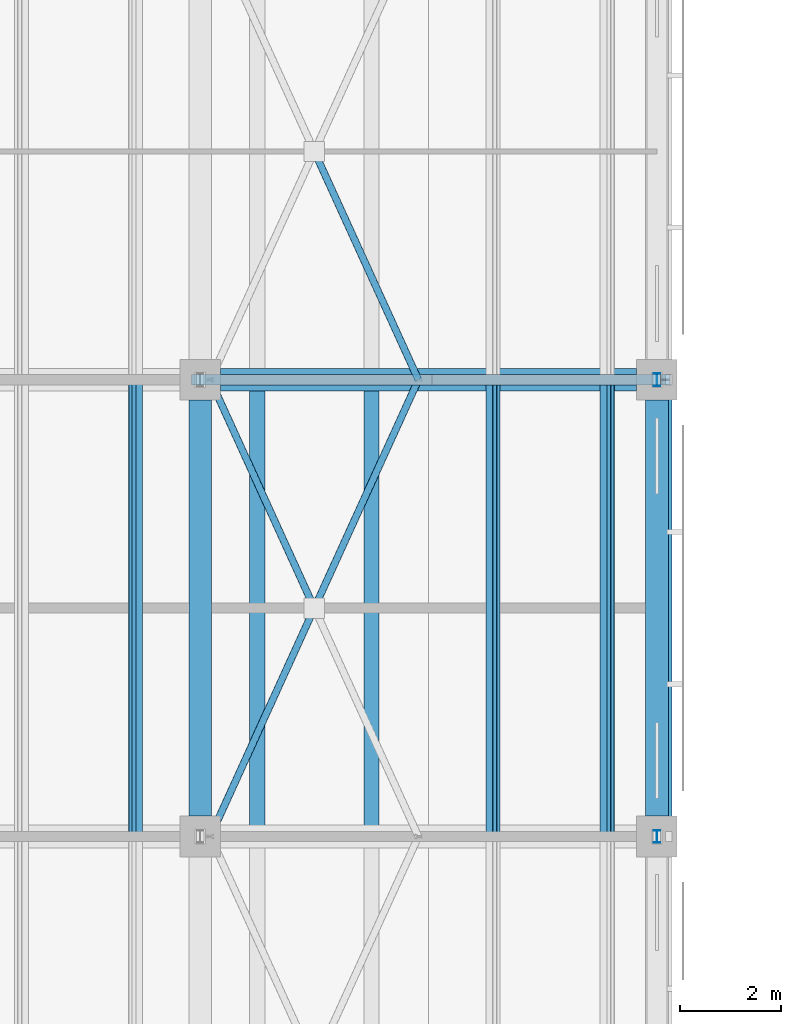
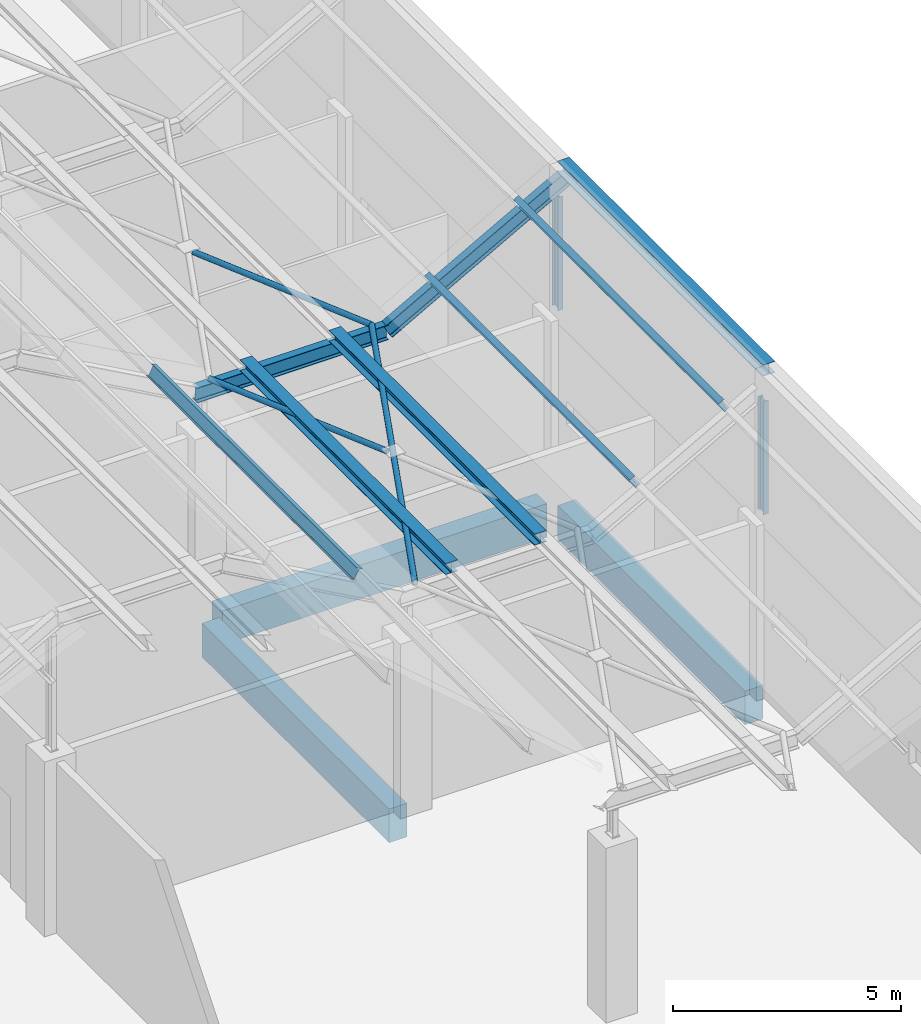
# One storey, part 45 of 437: 13 members, 3 beams.
"""IFC4 building model written with IfcOpenShell, lengths in metres."""

from ifc_helpers import new_model, si_unit, direction, frame, origin, origin_2d, place, context, subcontext, project, spatial, rectangle, hollow_circle, i_section, extrude, material, material_profile, profile_set, type_object, element, save


model = new_model("IFC4")

# Units and contexts
model_context = context("Model", 3, precision=1e-05, world=origin(), true_north=direction((0.0, 1.0)))
body_context = subcontext(model_context, "Body", "Model", "MODEL_VIEW")
ifc_project = project(units=[si_unit("LENGTHUNIT", "METRE"), si_unit("AREAUNIT", "SQUARE_METRE"), si_unit("VOLUMEUNIT", "CUBIC_METRE"), si_unit("PLANEANGLEUNIT", "RADIAN"), si_unit("MASSUNIT", "GRAM", prefix="KILO")], contexts=[model_context])

# Site, building, storey
site_placement = place(None, origin())
site = spatial("IfcSite", under=ifc_project, at=site_placement, CompositionType="ELEMENT")
building_placement = place(site_placement, origin())
building = spatial("IfcBuilding", under=site, at=building_placement, Name="Opaline Strait Convention Centre", CompositionType="ELEMENT")
storey_placement = place(building_placement, frame((0.0, 0.0, 11.5)))
storey = spatial("IfcBuildingStorey", under=building, at=storey_placement, Name="L02", CompositionType="ELEMENT", Elevation=11.5)

# Members
ifc_material_1 = material(Name="Steel Q355B", Category="steel")
ifc_material_profile_1 = material_profile(ifc_material_1, i_section(OverallWidth=0.300048828125, OverallDepth=0.300048828125, WebThickness=0.010009765625, FlangeThickness=0.014892578125, FilletRadius=0.012939453125, at=origin_2d()), Name="HW 300x300x10x15")
ifc_profile_set_1 = profile_set([ifc_material_profile_1], Name="Steel Q355B")
member_type_1 = type_object("IfcMemberType", Name="Crest purlin HW 300x300x10x15", PredefinedType="PURLIN", material=ifc_profile_set_1)
for number, where, z_axis, x_axis, name in (
    (1, (73.125, 45.0, 5.949951171875), (0.0, 1.0, 0.0), (-1.0, 0.0, 0.0), "RU1 purlin facet 15 line 1"),
    (2, (75.375, 45.0, 5.949951171875), (0.0, 1.0, 0.0), (-1.0, 0.0, 0.0), "RU1 purlin facet 15 line 2"),
    (3, (81.14990234375, 45.0, 8.449951171875), (0.0, 1.0, 0.0), (-1.0, 0.0, 0.0), "RU1 purlin facet 17 line 1"),
):
    element("IfcMember", number, at=place(storey_placement, frame(where, z_axis=z_axis, x_axis=x_axis)), inside=storey, type_object=member_type_1, Name=name, PredefinedType="PURLIN", context=body_context, shape_type="SweptSolid", body=[
        extrude(i_section(OverallWidth=0.300048828125, OverallDepth=0.300048828125, WebThickness=0.010009765625, FlangeThickness=0.014892578125, FilletRadius=0.012939453125, at=origin_2d()), origin(), (0.0, 0.0, 1.0), 9.0),
    ])

# Beams
ifc_material_2 = material(Name="Concrete C35", Category="concrete")
ifc_material_profile_2 = material_profile(ifc_material_2, rectangle(XDim=0.449951171875, YDim=0.89990234375, at=origin_2d()), Name="RC 450x900")
ifc_profile_set_2 = profile_set([ifc_material_profile_2], Name="Concrete C35")
beam_type = type_object("IfcBeamType", Name="RC beam 450x900 C35", PredefinedType="BEAM", material=ifc_profile_set_2)
for number, where, z_axis, x_axis, name in (
    (4, (72.39990234375, 54.0, -0.72998046875), (1.0, 0.0, 0.0), (0.0, 1.0, 0.0), "XB1 L02 72/54-81/54"),
    (5, (72.0, 45.39990234375, -0.72998046875), (0.0, 1.0, 0.0), (-1.0, 0.0, 0.0), "XB1 L02 72/45-72/54"),
    (6, (81.0, 45.39990234375, -0.72998046875), (0.0, 1.0, 0.0), (-1.0, 0.0, 0.0), "XB1 L02 81/45-81/54"),
):
    element("IfcBeam", number, at=place(storey_placement, frame(where, z_axis=z_axis, x_axis=x_axis)), inside=storey, type_object=beam_type, Name=name, PredefinedType="BEAM", context=body_context, shape_type="SweptSolid", body=[
        extrude(rectangle(XDim=0.449951171875, YDim=0.89990234375, at=origin_2d()), origin(), (0.0, 0.0, 1.0), 8.2001953125),
    ])

# Members
ifc_material_profile_3 = material_profile(ifc_material_1, hollow_circle(Radius=0.070068359375, WallThickness=0.0048828125, at=origin_2d()), Name="CHS 140x5")
ifc_profile_set_3 = profile_set([ifc_material_profile_3], Name="Steel Q355B")
member_type_2 = type_object("IfcMemberType", Name="Roof bracing CHS 140x5", PredefinedType="BRACE", material=ifc_profile_set_3)
member_1_placement = place(storey_placement, frame((72.199951171875, 45.0, 5.8701171875), z_axis=(0.414572789354, 0.910016154981, 0.0), x_axis=(-0.910016154981, 0.414572789354, 0.0)))
element("IfcMember", 7, at=member_1_placement, inside=storey, type_object=member_type_2, Name="RX1 roof brace bay 5 at 72", PredefinedType="BRACE", context=body_context, shape_type="SweptSolid", body=[
    extrude(hollow_circle(Radius=0.070068359375, WallThickness=0.0048828125, at=origin_2d()), origin(), (0.0, 0.0, 1.0), 9.889892578125),
])
for number, where, z_axis, x_axis, name in (
    (8, (74.185546875, 49.6416015625, 5.8701171875), (-0.41458243593, 0.910011760264, 0.0), (-0.910011760264, -0.41458243593, 0.0), "RX1 roof brace bay 5 at 72"),
    (9, (76.300048828125, 54.0, 5.8701171875), (-0.41458243593, 0.910011760264, 0.0), (-0.910011760264, -0.41458243593, 0.0), "RX1 roof brace bay 6 at 72"),
):
    element("IfcMember", number, at=place(storey_placement, frame(where, z_axis=z_axis, x_axis=x_axis)), inside=storey, type_object=member_type_2, Name=name, PredefinedType="BRACE", context=body_context, shape_type="SweptSolid", body=[
        extrude(hollow_circle(Radius=0.070068359375, WallThickness=0.0048828125, at=origin_2d()), origin(), (0.0, 0.0, 1.0), 4.789306640625),
    ])
ifc_material_profile_4 = material_profile(ifc_material_1, i_section(OverallWidth=0.125, OverallDepth=0.25, WebThickness=0.006103515625, FlangeThickness=0.009033203125, FilletRadius=0.008056640625, at=origin_2d()), Name="HN 250x125x6x9")
ifc_profile_set_4 = profile_set([ifc_material_profile_4], Name="Steel Q355B")
member_type_3 = type_object("IfcMemberType", Name="Roof post HN 250x125x6x9", PredefinedType="STRUT", material=ifc_profile_set_4)
for number, where, z_axis, x_axis, name in (
    (10, (81.0, 45.0, 4.68994140625), (0.0, 0.0, 1.0), (1.0, 0.0, 0.0), "RP1 roof post at 81/45"),
    (11, (81.0, 54.0, 4.68994140625), (0.0, 0.0, 1.0), (1.0, 0.0, 0.0), "RP1 roof post at 81/54"),
):
    element("IfcMember", number, at=place(storey_placement, frame(where, z_axis=z_axis, x_axis=x_axis)), inside=storey, type_object=member_type_3, Name=name, PredefinedType="STRUT", context=body_context, shape_type="SweptSolid", body=[
        extrude(i_section(OverallWidth=0.125, OverallDepth=0.25, WebThickness=0.006103515625, FlangeThickness=0.009033203125, FilletRadius=0.008056640625, at=origin_2d()), origin(), (0.0, 0.0, 1.0), 3.031005859375),
    ])
ifc_material_profile_5 = material_profile(ifc_material_1, i_section(OverallWidth=0.14990234375, OverallDepth=0.300048828125, WebThickness=0.006591796875, FlangeThickness=0.009033203125, FilletRadius=0.012939453125, at=origin_2d()), Name="HN 300x150x6.5x9")
ifc_profile_set_5 = profile_set([ifc_material_profile_5], Name="Steel Q355B")
member_type_4 = type_object("IfcMemberType", Name="Roof purlin HN 300x150x6.5x9", PredefinedType="PURLIN", material=ifc_profile_set_5)
for number, where, z_axis, x_axis, name in (
    (12, (70.729248046875, 45.0, 6.61279296875), (0.0, 1.0, 0.0), (-0.874157310866, 0.0, 0.485642868639), "RU1 purlin facet 14 line 2"),
    (13, (77.770751953125, 45.0, 6.61279296875), (0.0, 1.0, 0.0), (-0.874157310866, 0.0, -0.485642868639), "RU1 purlin facet 16 line 1"),
    (14, (80.020751953125, 45.0, 7.86279296875), (0.0, 1.0, 0.0), (-0.874157310866, 0.0, -0.485642868639), "RU1 purlin facet 16 line 2"),
):
    element("IfcMember", number, at=place(storey_placement, frame(where, z_axis=z_axis, x_axis=x_axis)), inside=storey, type_object=member_type_4, Name=name, PredefinedType="PURLIN", context=body_context, shape_type="SweptSolid", body=[
        extrude(i_section(OverallWidth=0.14990234375, OverallDepth=0.300048828125, WebThickness=0.006591796875, FlangeThickness=0.009033203125, FilletRadius=0.012939453125, at=origin_2d()), origin(), (0.0, 0.0, 1.0), 9.0),
    ])
ifc_material_profile_6 = material_profile(ifc_material_1, i_section(OverallWidth=0.199951171875, OverallDepth=0.39990234375, WebThickness=0.008056640625, FlangeThickness=0.012939453125, FilletRadius=0.012939453125, at=origin_2d()), Name="HN 400x200x8x13")
ifc_profile_set_6 = profile_set([ifc_material_profile_6], Name="Steel Q355B")
member_type_5 = type_object("IfcMemberType", Name="Roof rafter HN 400x200x8x13", PredefinedType="RAFTER", material=ifc_profile_set_6)
member_2_placement = place(storey_placement, frame((71.83154296875, 54.0, 5.60009765625), z_axis=(1.0, 0.0, 0.0), x_axis=(0.0, 1.0, 0.0)))
element("IfcMember", 15, at=member_2_placement, inside=storey, type_object=member_type_5, Name="RR1 rafter line 6 facet 16", PredefinedType="RAFTER", context=body_context, shape_type="SweptSolid", body=[
    extrude(i_section(OverallWidth=0.199951171875, OverallDepth=0.39990234375, WebThickness=0.008056640625, FlangeThickness=0.012939453125, FilletRadius=0.012939453125, at=origin_2d()), origin(), (0.0, 0.0, 1.0), 4.8369140625),
])
member_3_placement = place(storey_placement, frame((76.66845703125, 54.0, 5.60009765625), z_axis=(0.874157276122, 0.0, 0.485642931179), x_axis=(0.0, 1.0, 0.0)))
element("IfcMember", 16, at=member_3_placement, inside=storey, type_object=member_type_5, Name="RR1 rafter line 6 facet 17", PredefinedType="RAFTER", context=body_context, shape_type="SweptSolid", body=[
    extrude(i_section(OverallWidth=0.199951171875, OverallDepth=0.39990234375, WebThickness=0.008056640625, FlangeThickness=0.012939453125, FilletRadius=0.012939453125, at=origin_2d()), origin(), (0.0, 0.0, 1.0), 5.147705078125),
])

save(model, "model.ifc")
